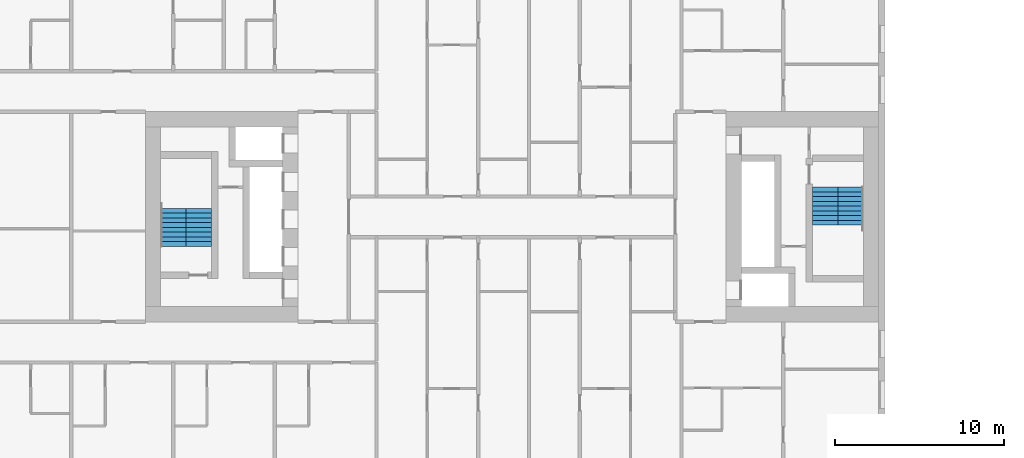
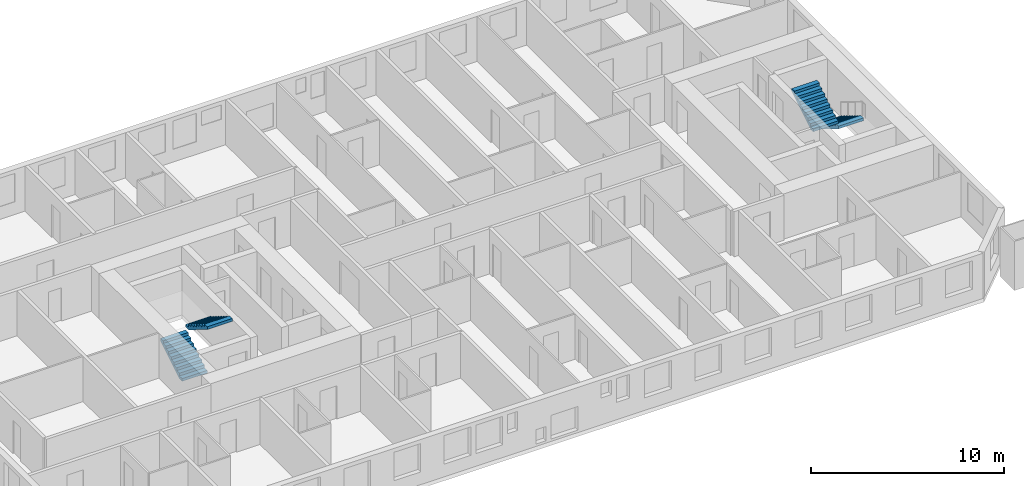
# One storey, part 15 of 16: 4 stair flights, 2 elements without a shape of their own.
"""IFC4 building model written with IfcOpenShell, lengths in metres."""

import ifcopenshell
import ifcopenshell.guid

model = None  # the IFC model being written
_history = None  # IfcOwnerHistory: only IFC2X3 demands one
_inside = {}  # id of a spatial element -> (the spatial element, [elements in it])
_under = {}  # id of a project, library or spatial element -> (it, [spatial elements below it])
_declared = {}  # id of a project -> (the project, [libraries it declares])
_typed = {}  # id of a type object -> (the type object, [elements of that type])
_made_of = {}  # id of a material, layer set ... -> (it, [elements and type objects made of it])


def new_model(schema):
    """Start an empty IFC model of exactly this schema.

    Asked for "IFC4X3", IfcOpenShell would pick the latest addendum, in which some entities
    have other attributes; the version numbers below select the first issue.
    IFC2X3 requires an IfcOwnerHistory on every rooted entity: one is made here for all.
    """
    global model, _history
    if schema == "IFC4X3":
        model = ifcopenshell.file(schema_version=(4, 3, 0, 0))
    else:
        model = ifcopenshell.file(schema=schema)
    _inside.clear()
    _under.clear()
    _declared.clear()
    _typed.clear()
    _made_of.clear()
    _history = None
    if model.schema == "IFC2X3":
        org = make("IfcOrganization", Name="unknown")
        user = make(
            "IfcPersonAndOrganization",
            ThePerson=make("IfcPerson", FamilyName="unknown"),
            TheOrganization=org,
        )
        app = make(
            "IfcApplication",
            ApplicationDeveloper=org,
            Version="unknown",
            ApplicationFullName="unknown",
            ApplicationIdentifier="unknown",
        )
        _history = make(
            "IfcOwnerHistory",
            OwningUser=user,
            OwningApplication=app,
            ChangeAction="ADDED",
            CreationDate=0,
        )
    return model


def make(cls, **values):
    """One entity of the class cls with the attributes given. An attribute that is None is left unset."""
    return model.create_entity(
        cls, **{name: value for name, value in values.items() if value is not None}
    )


def rooted(cls, **values):
    """An entity with a GlobalId (a new one), such as an element, a storey or a relation."""
    return make(cls, GlobalId=ifcopenshell.guid.new(), OwnerHistory=_history, **values)


def si_unit(unit_type, name, prefix=None):
    """IfcSIUnit, for example si_unit("LENGTHUNIT", "METRE", prefix="MILLI")."""
    return make("IfcSIUnit", UnitType=unit_type, Prefix=prefix, Name=name)


def assignment(units):
    """IfcUnitAssignment: the units of a project."""
    return None if units is None else make("IfcUnitAssignment", Units=units)


def point(xyz):
    """IfcCartesianPoint."""
    return None if xyz is None else make("IfcCartesianPoint", Coordinates=xyz)


def direction(xyz):
    """IfcDirection."""
    return None if xyz is None else make("IfcDirection", DirectionRatios=xyz)


def frame(location, z_axis=None, x_axis=None):
    """IfcAxis2Placement3D, a coordinate frame: its origin and axes. An axis left out is left unset."""
    return make(
        "IfcAxis2Placement3D",
        Location=point(location),
        Axis=direction(z_axis),
        RefDirection=direction(x_axis),
    )


def origin():
    """The frame at (0, 0, 0) with its axes left unset."""
    return frame((0.0, 0.0, 0.0))


def place(relative_to, where):
    """IfcLocalPlacement: puts the frame where relative to a parent placement (None: the world)."""
    return make(
        "IfcLocalPlacement", PlacementRelTo=relative_to, RelativePlacement=where
    )


def context(
    kind, dimensions, precision=None, world=None, true_north=None, identifier=None
):
    """IfcGeometricRepresentationContext, for example the 3D "Model" context."""
    return make(
        "IfcGeometricRepresentationContext",
        ContextIdentifier=identifier,
        ContextType=kind,
        CoordinateSpaceDimension=dimensions,
        Precision=precision,
        WorldCoordinateSystem=world,
        TrueNorth=true_north,
    )


def subcontext(parent, identifier, kind, view, scale=None):
    """IfcGeometricRepresentationSubContext, for example "Body" below "Model"."""
    return make(
        "IfcGeometricRepresentationSubContext",
        ContextIdentifier=identifier,
        ContextType=kind,
        ParentContext=parent,
        TargetScale=scale,
        TargetView=view,
    )


def project(units=None, contexts=None):
    """IfcProject with its units and contexts."""
    return rooted(
        "IfcProject",
        Name="project",
        RepresentationContexts=contexts,
        UnitsInContext=assignment(units),
    )


def spatial(cls, under=None, at=None, **own):
    """A site, building, storey or space (cls), placed at a placement, below another one or the project."""
    s = rooted(cls, ObjectPlacement=at, **own)
    if under is not None:
        _under.setdefault(under.id(), (under, []))[1].append(s)
    return s


def faces_of(points, faces, orient=None, outer=None):
    """IfcFace entities. A face is a list of loops; a loop is a list of indices into points, from 0.

    orient and outer hold one flag for each loop. By default every Orientation is true, the
    first loop of a face is its IfcFaceOuterBound and the others are IfcFaceBound.
    """
    made = []
    for i, loops in enumerate(faces):
        bounds = []
        for j, loop in enumerate(loops):
            is_outer = j == 0 if outer is None else outer[i][j]
            bounds.append(
                make(
                    "IfcFaceOuterBound" if is_outer else "IfcFaceBound",
                    Bound=make("IfcPolyLoop", Polygon=[points[k] for k in loop]),
                    Orientation=True if orient is None else orient[i][j],
                )
            )
        made.append(make("IfcFace", Bounds=bounds))
    return made


def faceted_brep(points, faces, orient=None, outer=None, voids=None):
    """IfcFacetedBrep: a solid bounded by flat faces; with voids (closed shells), ...WithVoids."""
    shared = [point(p) for p in points]
    hull = make("IfcClosedShell", CfsFaces=faces_of(shared, faces, orient, outer))
    if voids is None:
        return make("IfcFacetedBrep", Outer=hull)
    return make(
        "IfcFacetedBrepWithVoids",
        Outer=hull,
        Voids=[
            make(cls, CfsFaces=faces_of(shared, fs, o, b)) for cls, fs, o, b in voids
        ],
    )


def shape(context_of_items, identifier, shape_type, items):
    """IfcShapeRepresentation: the items that make up one representation, for example the "Body"."""
    return make(
        "IfcShapeRepresentation",
        ContextOfItems=context_of_items,
        RepresentationIdentifier=identifier,
        RepresentationType=shape_type,
        Items=items,
    )


def material(Name=None, Category=None):
    """IfcMaterial."""
    return make("IfcMaterial", Name=Name, Category=Category)


def made_of(thing, what):
    """Note that an element or type object is made of a material, layer set ...; save() writes the relation."""
    if what is not None:
        _made_of.setdefault(what.id(), (what, []))[1].append(thing)
    return thing


def type_object(cls, material=None, **own):
    """A type object (cls), such as IfcWallType, which elements share."""
    return made_of(rooted(cls, **own), material)


def element(
    cls,
    number,
    at=None,
    inside=None,
    cuts=None,
    type_object=None,
    material=None,
    context=None,
    identifier="Body",
    shape_type=None,
    held_by="IfcProductDefinitionShape",
    body=None,
    shapes=None,
    **own,
):
    """One element of the class cls, such as IfcWall. Its Tag is "e" and its number.

    at: its placement. inside: the storey or other place that contains it. cuts: it is an
    opening in that element (IfcRelVoidsElement). A single representation is given by context,
    identifier, shape_type and body (its items); several are given by shapes. held_by: the class
    of the entity that holds the representations. save() writes the other relations.
    """
    e = rooted(cls, Tag="e%d" % number, ObjectPlacement=at, **own)
    if body is not None:
        shapes = [shape(context, identifier, shape_type, body)]
    if shapes is not None:
        e.Representation = make(held_by, Representations=shapes)
    if inside is not None:
        _inside.setdefault(inside.id(), (inside, []))[1].append(e)
    if cuts is not None:
        rooted(
            "IfcRelVoidsElement", RelatingBuildingElement=cuts, RelatedOpeningElement=e
        )
    if type_object is not None:
        _typed.setdefault(type_object.id(), (type_object, []))[1].append(e)
    return made_of(e, material)


def aggregate(whole, parts):
    """IfcRelAggregates: a whole, such as a stair, and the parts it consists of."""
    return rooted("IfcRelAggregates", RelatingObject=whole, RelatedObjects=parts)


def save(model, path):
    """Write the relations noted so far, then the file.

    IfcRelAggregates (storeys below a building ...), IfcRelContainedInSpatialStructure (elements
    in a storey), IfcRelDefinesByType, IfcRelAssociatesMaterial and IfcRelDeclares: one each for
    every whole, place, type object, material and project.
    """
    for whole, parts in _under.values():
        aggregate(whole, parts)
    for where, things in _inside.values():
        rooted(
            "IfcRelContainedInSpatialStructure",
            RelatedElements=things,
            RelatingStructure=where,
        )
    for kind, things in _typed.values():
        rooted("IfcRelDefinesByType", RelatedObjects=things, RelatingType=kind)
    for what, things in _made_of.values():
        rooted("IfcRelAssociatesMaterial", RelatedObjects=things, RelatingMaterial=what)
    for by, libraries in _declared.values():
        rooted("IfcRelDeclares", RelatingContext=by, RelatedDefinitions=libraries)
    model.write(path)


model = new_model("IFC4")

# Units and contexts
model_context = context("Model", 3, precision=1e-05, world=origin(), true_north=direction((0.0, 1.0)))
body_context = subcontext(model_context, "Body", "Model", "MODEL_VIEW")
ifc_project = project(units=[si_unit("LENGTHUNIT", "METRE"), si_unit("AREAUNIT", "SQUARE_METRE"), si_unit("VOLUMEUNIT", "CUBIC_METRE"), si_unit("PLANEANGLEUNIT", "RADIAN"), si_unit("MASSUNIT", "GRAM", prefix="KILO")], contexts=[model_context])

# Site, building, storey
site_placement = place(None, origin())
site = spatial("IfcSite", under=ifc_project, at=site_placement, CompositionType="ELEMENT")
building_placement = place(site_placement, origin())
building = spatial("IfcBuilding", under=site, at=building_placement, Name="Tuart Gate Housing", CompositionType="ELEMENT")
storey_placement = place(building_placement, frame((0.0, 0.0, 35.0)))
storey = spatial("IfcBuildingStorey", under=building, at=storey_placement, Name="L09", CompositionType="ELEMENT", Elevation=35.0)

# Stair, stair flights
ifc_material_1 = material(Name="Concrete C40", Category="concrete")
stair_type = type_object("IfcStairType", Name="Core stair 1500", PredefinedType="HALF_TURN_STAIR", material=ifc_material_1)
stair_1_placement = place(storey_placement, origin())
stair_1 = element("IfcStair", 1, at=stair_1_placement, inside=storey, type_object=stair_type, Name="Stair SA1", PredefinedType="HALF_TURN_STAIR")
ifc_material_2 = material(Name="Concrete C40", Category="concrete")
stair_flight_type = type_object("IfcStairFlightType", Name="Stair flight 1500, 9 risers 172 x 280", PredefinedType="STRAIGHT", material=ifc_material_2)
stair_flight_1_placement = place(storey_placement, frame((73.989990234375, 71.75, 0.0), z_axis=(0.0, 0.0, 1.0), x_axis=(0.0, -1.0, 0.0)))
stair_flight_1 = element("IfcStairFlight", 2, at=stair_flight_1_placement, type_object=stair_flight_type, Name="SA1 flight 1", NumberOfRisers=9, NumberOfTreads=8, PredefinedType="STRAIGHT", RiserHeight=0.172222222, TreadLength=0.28, context=body_context, shape_type="Brep", body=[
    faceted_brep([(0.0, 0.75, 0.0), (0.0, 0.75, 0.172119140625), (0.280029296875, 0.75, 0.172119140625), (0.280029296875, 0.75, 0.344482421875), (0.56005859375, 0.75, 0.344482421875), (0.56005859375, 0.75, 0.5166015625), (0.840087890625, 0.75, 0.5166015625), (0.840087890625, 0.75, 0.68896484375), (1.1201171875, 0.75, 0.68896484375), (1.1201171875, 0.75, 0.861083984375), (1.39990234375, 0.75, 0.861083984375), (1.39990234375, 0.75, 1.033447265625), (1.679931640625, 0.75, 1.033447265625), (1.679931640625, 0.75, 1.20556640625), (1.9599609375, 0.75, 1.20556640625), (1.9599609375, 0.75, 1.377685546875), (2.239990234375, 0.75, 1.377685546875), (2.239990234375, 0.75, 1.201904296875), (0.2861328125, 0.75, 0.0), (0.2861328125, -0.75, 0.0), (2.239990234375, -0.75, 1.201904296875), (2.239990234375, -0.75, 1.377685546875), (1.9599609375, -0.75, 1.377685546875), (1.9599609375, -0.75, 1.20556640625), (1.679931640625, -0.75, 1.20556640625), (1.679931640625, -0.75, 1.033447265625), (1.39990234375, -0.75, 1.033447265625), (1.39990234375, -0.75, 0.861083984375), (1.1201171875, -0.75, 0.861083984375), (1.1201171875, -0.75, 0.68896484375), (0.840087890625, -0.75, 0.68896484375), (0.840087890625, -0.75, 0.5166015625), (0.56005859375, -0.75, 0.5166015625), (0.56005859375, -0.75, 0.344482421875), (0.280029296875, -0.75, 0.344482421875), (0.280029296875, -0.75, 0.172119140625), (0.0, -0.75, 0.172119140625), (0.0, -0.75, 0.0), (2.239990234375, 0.0, 1.201904296875), (0.2861328125, 0.0, 0.0), (2.239990234375, 0.0, 1.377685546875), (1.9599609375, 0.0, 1.377685546875), (1.9599609375, 0.0, 1.20556640625), (1.679931640625, 0.0, 1.20556640625), (1.679931640625, 0.0, 1.033447265625), (1.39990234375, 0.0, 1.033447265625), (1.39990234375, 0.0, 0.861083984375), (1.1201171875, 0.0, 0.861083984375), (1.1201171875, 0.0, 0.68896484375), (0.840087890625, 0.0, 0.68896484375), (0.840087890625, 0.0, 0.5166015625), (0.56005859375, 0.0, 0.5166015625), (0.56005859375, 0.0, 0.344482421875), (0.280029296875, 0.0, 0.344482421875), (0.280029296875, 0.0, 0.172119140625), (0.0, 0.0, 0.172119140625), (0.0, 0.0, 0.0)], [[[0, 1, 2, 3, 4, 5, 6, 7, 8, 9, 10, 11, 12, 13, 14, 15, 16, 17, 18]], [[19, 20, 21, 22, 23, 24, 25, 26, 27, 28, 29, 30, 31, 32, 33, 34, 35, 36, 37]], [[18, 17, 38, 39]], [[39, 38, 20, 19]], [[17, 16, 40, 38]], [[38, 40, 21, 20]], [[16, 15, 41, 40]], [[40, 41, 22, 21]], [[15, 14, 42, 41]], [[41, 42, 23, 22]], [[14, 13, 43, 42]], [[42, 43, 24, 23]], [[13, 12, 44, 43]], [[43, 44, 25, 24]], [[12, 11, 45, 44]], [[44, 45, 26, 25]], [[11, 10, 46, 45]], [[45, 46, 27, 26]], [[10, 9, 47, 46]], [[46, 47, 28, 27]], [[9, 8, 48, 47]], [[47, 48, 29, 28]], [[8, 7, 49, 48]], [[48, 49, 30, 29]], [[7, 6, 50, 49]], [[49, 50, 31, 30]], [[6, 5, 51, 50]], [[50, 51, 32, 31]], [[5, 4, 52, 51]], [[51, 52, 33, 32]], [[4, 3, 53, 52]], [[52, 53, 34, 33]], [[3, 2, 54, 53]], [[53, 54, 35, 34]], [[2, 1, 55, 54]], [[54, 55, 36, 35]], [[1, 0, 56, 55]], [[55, 56, 37, 36]], [[0, 18, 39, 56]], [[56, 39, 19, 37]]]),
])
stair_flight_2_placement = place(storey_placement, frame((72.489990234375, 69.510009765625, 1.550048828125), z_axis=(0.0, 0.0, 1.0), x_axis=(0.0, 1.0, 0.0)))
stair_flight_2 = element("IfcStairFlight", 3, at=stair_flight_2_placement, type_object=stair_flight_type, Name="SA1 flight 2", NumberOfRisers=9, NumberOfTreads=8, PredefinedType="STRAIGHT", RiserHeight=0.172222222, TreadLength=0.28, context=body_context, shape_type="Brep", body=[
    faceted_brep([(0.0, 0.75, 0.0), (0.0, 0.75, 0.172119140625), (0.280029296875, 0.75, 0.172119140625), (0.280029296875, 0.75, 0.344482421875), (0.56005859375, 0.75, 0.344482421875), (0.56005859375, 0.75, 0.5166015625), (0.840087890625, 0.75, 0.5166015625), (0.840087890625, 0.75, 0.68896484375), (1.1201171875, 0.75, 0.68896484375), (1.1201171875, 0.75, 0.861083984375), (1.39990234375, 0.75, 0.861083984375), (1.39990234375, 0.75, 1.033447265625), (1.679931640625, 0.75, 1.033447265625), (1.679931640625, 0.75, 1.20556640625), (1.9599609375, 0.75, 1.20556640625), (1.9599609375, 0.75, 1.377685546875), (2.239990234375, 0.75, 1.377685546875), (2.239990234375, 0.75, 1.201904296875), (0.2861328125, 0.75, 0.0), (0.2861328125, -0.75, 0.0), (2.239990234375, -0.75, 1.201904296875), (2.239990234375, -0.75, 1.377685546875), (1.9599609375, -0.75, 1.377685546875), (1.9599609375, -0.75, 1.20556640625), (1.679931640625, -0.75, 1.20556640625), (1.679931640625, -0.75, 1.033447265625), (1.39990234375, -0.75, 1.033447265625), (1.39990234375, -0.75, 0.861083984375), (1.1201171875, -0.75, 0.861083984375), (1.1201171875, -0.75, 0.68896484375), (0.840087890625, -0.75, 0.68896484375), (0.840087890625, -0.75, 0.5166015625), (0.56005859375, -0.75, 0.5166015625), (0.56005859375, -0.75, 0.344482421875), (0.280029296875, -0.75, 0.344482421875), (0.280029296875, -0.75, 0.172119140625), (0.0, -0.75, 0.172119140625), (0.0, -0.75, 0.0), (2.239990234375, 0.0, 1.201904296875), (0.2861328125, 0.0, 0.0), (2.239990234375, 0.0, 1.377685546875), (1.9599609375, 0.0, 1.377685546875), (1.9599609375, 0.0, 1.20556640625), (1.679931640625, 0.0, 1.20556640625), (1.679931640625, 0.0, 1.033447265625), (1.39990234375, 0.0, 1.033447265625), (1.39990234375, 0.0, 0.861083984375), (1.1201171875, 0.0, 0.861083984375), (1.1201171875, 0.0, 0.68896484375), (0.840087890625, 0.0, 0.68896484375), (0.840087890625, 0.0, 0.5166015625), (0.56005859375, 0.0, 0.5166015625), (0.56005859375, 0.0, 0.344482421875), (0.280029296875, 0.0, 0.344482421875), (0.280029296875, 0.0, 0.172119140625), (0.0, 0.0, 0.172119140625), (0.0, 0.0, 0.0)], [[[0, 1, 2, 3, 4, 5, 6, 7, 8, 9, 10, 11, 12, 13, 14, 15, 16, 17, 18]], [[19, 20, 21, 22, 23, 24, 25, 26, 27, 28, 29, 30, 31, 32, 33, 34, 35, 36, 37]], [[18, 17, 38, 39]], [[39, 38, 20, 19]], [[17, 16, 40, 38]], [[38, 40, 21, 20]], [[16, 15, 41, 40]], [[40, 41, 22, 21]], [[15, 14, 42, 41]], [[41, 42, 23, 22]], [[14, 13, 43, 42]], [[42, 43, 24, 23]], [[13, 12, 44, 43]], [[43, 44, 25, 24]], [[12, 11, 45, 44]], [[44, 45, 26, 25]], [[11, 10, 46, 45]], [[45, 46, 27, 26]], [[10, 9, 47, 46]], [[46, 47, 28, 27]], [[9, 8, 48, 47]], [[47, 48, 29, 28]], [[8, 7, 49, 48]], [[48, 49, 30, 29]], [[7, 6, 50, 49]], [[49, 50, 31, 30]], [[6, 5, 51, 50]], [[50, 51, 32, 31]], [[5, 4, 52, 51]], [[51, 52, 33, 32]], [[4, 3, 53, 52]], [[52, 53, 34, 33]], [[3, 2, 54, 53]], [[53, 54, 35, 34]], [[2, 1, 55, 54]], [[54, 55, 36, 35]], [[1, 0, 56, 55]], [[55, 56, 37, 36]], [[0, 18, 39, 56]], [[56, 39, 19, 37]]]),
])
aggregate(stair_1, [stair_flight_1, stair_flight_2])

stair_2_placement = place(storey_placement, origin())
stair_2 = element("IfcStair", 4, at=stair_2_placement, inside=storey, type_object=stair_type, Name="Stair SA2", PredefinedType="HALF_TURN_STAIR")
stair_flight_3_placement = place(storey_placement, frame((34.010009765625, 68.25, 0.0), z_axis=(0.0, 0.0, 1.0), x_axis=(0.0, 1.0, 0.0)))
stair_flight_3 = element("IfcStairFlight", 5, at=stair_flight_3_placement, type_object=stair_flight_type, Name="SA2 flight 1", NumberOfRisers=9, NumberOfTreads=8, PredefinedType="STRAIGHT", RiserHeight=0.172222222, TreadLength=0.28, context=body_context, shape_type="Brep", body=[
    faceted_brep([(0.0, 0.75, 0.0), (0.0, 0.75, 0.172119140625), (0.280029296875, 0.75, 0.172119140625), (0.280029296875, 0.75, 0.344482421875), (0.56005859375, 0.75, 0.344482421875), (0.56005859375, 0.75, 0.5166015625), (0.840087890625, 0.75, 0.5166015625), (0.840087890625, 0.75, 0.68896484375), (1.1201171875, 0.75, 0.68896484375), (1.1201171875, 0.75, 0.861083984375), (1.39990234375, 0.75, 0.861083984375), (1.39990234375, 0.75, 1.033447265625), (1.679931640625, 0.75, 1.033447265625), (1.679931640625, 0.75, 1.20556640625), (1.9599609375, 0.75, 1.20556640625), (1.9599609375, 0.75, 1.377685546875), (2.239990234375, 0.75, 1.377685546875), (2.239990234375, 0.75, 1.201904296875), (0.2861328125, 0.75, 0.0), (0.2861328125, -0.75, 0.0), (2.239990234375, -0.75, 1.201904296875), (2.239990234375, -0.75, 1.377685546875), (1.9599609375, -0.75, 1.377685546875), (1.9599609375, -0.75, 1.20556640625), (1.679931640625, -0.75, 1.20556640625), (1.679931640625, -0.75, 1.033447265625), (1.39990234375, -0.75, 1.033447265625), (1.39990234375, -0.75, 0.861083984375), (1.1201171875, -0.75, 0.861083984375), (1.1201171875, -0.75, 0.68896484375), (0.840087890625, -0.75, 0.68896484375), (0.840087890625, -0.75, 0.5166015625), (0.56005859375, -0.75, 0.5166015625), (0.56005859375, -0.75, 0.344482421875), (0.280029296875, -0.75, 0.344482421875), (0.280029296875, -0.75, 0.172119140625), (0.0, -0.75, 0.172119140625), (0.0, -0.75, 0.0), (2.239990234375, 0.0, 1.201904296875), (0.2861328125, 0.0, 0.0), (2.239990234375, 0.0, 1.377685546875), (1.9599609375, 0.0, 1.377685546875), (1.9599609375, 0.0, 1.20556640625), (1.679931640625, 0.0, 1.20556640625), (1.679931640625, 0.0, 1.033447265625), (1.39990234375, 0.0, 1.033447265625), (1.39990234375, 0.0, 0.861083984375), (1.1201171875, 0.0, 0.861083984375), (1.1201171875, 0.0, 0.68896484375), (0.840087890625, 0.0, 0.68896484375), (0.840087890625, 0.0, 0.5166015625), (0.56005859375, 0.0, 0.5166015625), (0.56005859375, 0.0, 0.344482421875), (0.280029296875, 0.0, 0.344482421875), (0.280029296875, 0.0, 0.172119140625), (0.0, 0.0, 0.172119140625), (0.0, 0.0, 0.0)], [[[0, 1, 2, 3, 4, 5, 6, 7, 8, 9, 10, 11, 12, 13, 14, 15, 16, 17, 18]], [[19, 20, 21, 22, 23, 24, 25, 26, 27, 28, 29, 30, 31, 32, 33, 34, 35, 36, 37]], [[18, 17, 38, 39]], [[39, 38, 20, 19]], [[17, 16, 40, 38]], [[38, 40, 21, 20]], [[16, 15, 41, 40]], [[40, 41, 22, 21]], [[15, 14, 42, 41]], [[41, 42, 23, 22]], [[14, 13, 43, 42]], [[42, 43, 24, 23]], [[13, 12, 44, 43]], [[43, 44, 25, 24]], [[12, 11, 45, 44]], [[44, 45, 26, 25]], [[11, 10, 46, 45]], [[45, 46, 27, 26]], [[10, 9, 47, 46]], [[46, 47, 28, 27]], [[9, 8, 48, 47]], [[47, 48, 29, 28]], [[8, 7, 49, 48]], [[48, 49, 30, 29]], [[7, 6, 50, 49]], [[49, 50, 31, 30]], [[6, 5, 51, 50]], [[50, 51, 32, 31]], [[5, 4, 52, 51]], [[51, 52, 33, 32]], [[4, 3, 53, 52]], [[52, 53, 34, 33]], [[3, 2, 54, 53]], [[53, 54, 35, 34]], [[2, 1, 55, 54]], [[54, 55, 36, 35]], [[1, 0, 56, 55]], [[55, 56, 37, 36]], [[0, 18, 39, 56]], [[56, 39, 19, 37]]]),
])
stair_flight_4_placement = place(storey_placement, frame((35.510009765625, 70.489990234375, 1.550048828125), z_axis=(0.0, 0.0, 1.0), x_axis=(0.0, -1.0, 0.0)))
stair_flight_4 = element("IfcStairFlight", 6, at=stair_flight_4_placement, type_object=stair_flight_type, Name="SA2 flight 2", NumberOfRisers=9, NumberOfTreads=8, PredefinedType="STRAIGHT", RiserHeight=0.172222222, TreadLength=0.28, context=body_context, shape_type="Brep", body=[
    faceted_brep([(0.0, 0.75, 0.0), (0.0, 0.75, 0.172119140625), (0.280029296875, 0.75, 0.172119140625), (0.280029296875, 0.75, 0.344482421875), (0.56005859375, 0.75, 0.344482421875), (0.56005859375, 0.75, 0.5166015625), (0.840087890625, 0.75, 0.5166015625), (0.840087890625, 0.75, 0.68896484375), (1.1201171875, 0.75, 0.68896484375), (1.1201171875, 0.75, 0.861083984375), (1.39990234375, 0.75, 0.861083984375), (1.39990234375, 0.75, 1.033447265625), (1.679931640625, 0.75, 1.033447265625), (1.679931640625, 0.75, 1.20556640625), (1.9599609375, 0.75, 1.20556640625), (1.9599609375, 0.75, 1.377685546875), (2.239990234375, 0.75, 1.377685546875), (2.239990234375, 0.75, 1.201904296875), (0.2861328125, 0.75, 0.0), (0.2861328125, -0.75, 0.0), (2.239990234375, -0.75, 1.201904296875), (2.239990234375, -0.75, 1.377685546875), (1.9599609375, -0.75, 1.377685546875), (1.9599609375, -0.75, 1.20556640625), (1.679931640625, -0.75, 1.20556640625), (1.679931640625, -0.75, 1.033447265625), (1.39990234375, -0.75, 1.033447265625), (1.39990234375, -0.75, 0.861083984375), (1.1201171875, -0.75, 0.861083984375), (1.1201171875, -0.75, 0.68896484375), (0.840087890625, -0.75, 0.68896484375), (0.840087890625, -0.75, 0.5166015625), (0.56005859375, -0.75, 0.5166015625), (0.56005859375, -0.75, 0.344482421875), (0.280029296875, -0.75, 0.344482421875), (0.280029296875, -0.75, 0.172119140625), (0.0, -0.75, 0.172119140625), (0.0, -0.75, 0.0), (2.239990234375, 0.0, 1.201904296875), (0.2861328125, 0.0, 0.0), (2.239990234375, 0.0, 1.377685546875), (1.9599609375, 0.0, 1.377685546875), (1.9599609375, 0.0, 1.20556640625), (1.679931640625, 0.0, 1.20556640625), (1.679931640625, 0.0, 1.033447265625), (1.39990234375, 0.0, 1.033447265625), (1.39990234375, 0.0, 0.861083984375), (1.1201171875, 0.0, 0.861083984375), (1.1201171875, 0.0, 0.68896484375), (0.840087890625, 0.0, 0.68896484375), (0.840087890625, 0.0, 0.5166015625), (0.56005859375, 0.0, 0.5166015625), (0.56005859375, 0.0, 0.344482421875), (0.280029296875, 0.0, 0.344482421875), (0.280029296875, 0.0, 0.172119140625), (0.0, 0.0, 0.172119140625), (0.0, 0.0, 0.0)], [[[0, 1, 2, 3, 4, 5, 6, 7, 8, 9, 10, 11, 12, 13, 14, 15, 16, 17, 18]], [[19, 20, 21, 22, 23, 24, 25, 26, 27, 28, 29, 30, 31, 32, 33, 34, 35, 36, 37]], [[18, 17, 38, 39]], [[39, 38, 20, 19]], [[17, 16, 40, 38]], [[38, 40, 21, 20]], [[16, 15, 41, 40]], [[40, 41, 22, 21]], [[15, 14, 42, 41]], [[41, 42, 23, 22]], [[14, 13, 43, 42]], [[42, 43, 24, 23]], [[13, 12, 44, 43]], [[43, 44, 25, 24]], [[12, 11, 45, 44]], [[44, 45, 26, 25]], [[11, 10, 46, 45]], [[45, 46, 27, 26]], [[10, 9, 47, 46]], [[46, 47, 28, 27]], [[9, 8, 48, 47]], [[47, 48, 29, 28]], [[8, 7, 49, 48]], [[48, 49, 30, 29]], [[7, 6, 50, 49]], [[49, 50, 31, 30]], [[6, 5, 51, 50]], [[50, 51, 32, 31]], [[5, 4, 52, 51]], [[51, 52, 33, 32]], [[4, 3, 53, 52]], [[52, 53, 34, 33]], [[3, 2, 54, 53]], [[53, 54, 35, 34]], [[2, 1, 55, 54]], [[54, 55, 36, 35]], [[1, 0, 56, 55]], [[55, 56, 37, 36]], [[0, 18, 39, 56]], [[56, 39, 19, 37]]]),
])
aggregate(stair_2, [stair_flight_3, stair_flight_4])

save(model, "model.ifc")
